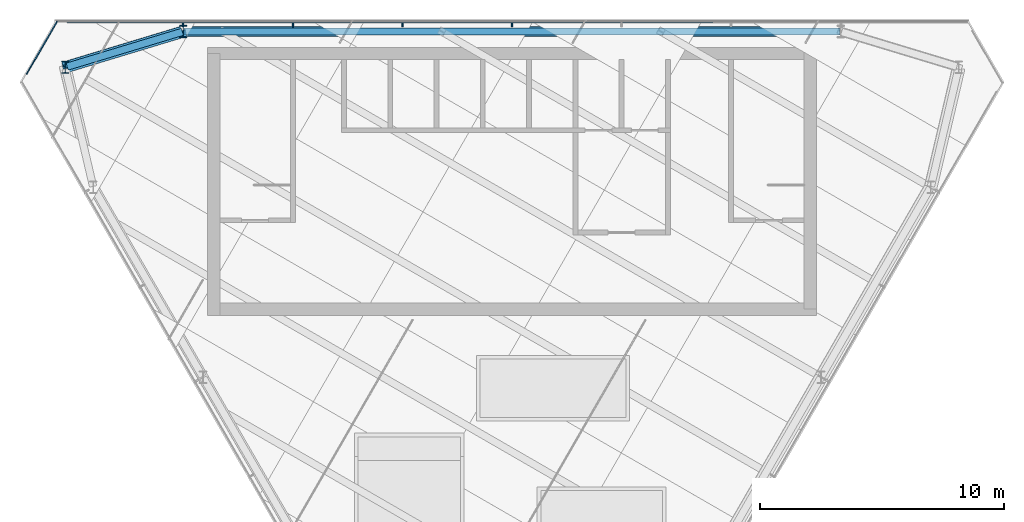
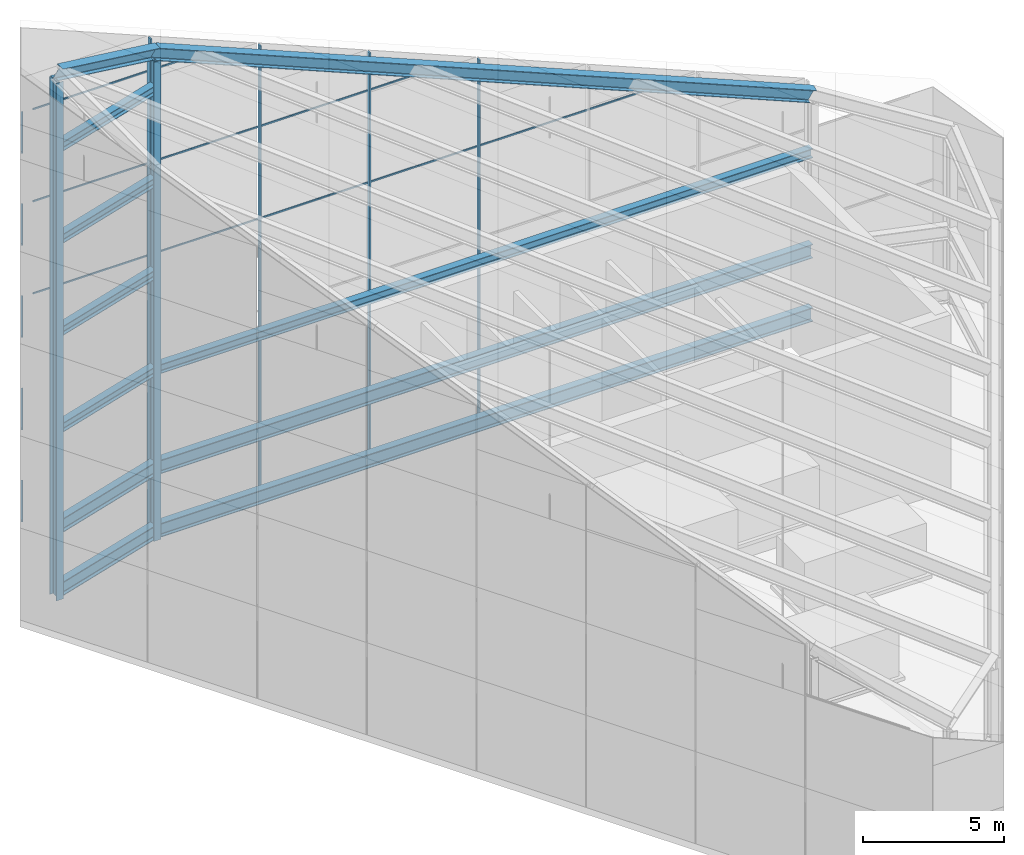
# One storey, part 8 of 16: 18 members, 7 beams, 2 elements without a shape of their own.
"""IFC4 building model written with IfcOpenShell, lengths in metres."""

from ifc_helpers import new_model, si_unit, direction, frame, origin, origin_2d, place, context, subcontext, project, spatial, rectangle, i_section, extrude, material, layer, layer_set, material_profile, profile_set, type_object, element, aggregate, save


model = new_model("IFC4")

# Units and contexts
model_context = context("Model", 3, precision=1e-05, world=origin(), true_north=direction((0.0, 1.0)))
body_context = subcontext(model_context, "Body", "Model", "MODEL_VIEW")
ifc_project = project(units=[si_unit("LENGTHUNIT", "METRE"), si_unit("AREAUNIT", "SQUARE_METRE"), si_unit("VOLUMEUNIT", "CUBIC_METRE"), si_unit("PLANEANGLEUNIT", "RADIAN"), si_unit("MASSUNIT", "GRAM", prefix="KILO")], contexts=[model_context])

# Site, building, storey
site_placement = place(None, origin())
site = spatial("IfcSite", under=ifc_project, at=site_placement, CompositionType="ELEMENT")
building_placement = place(site_placement, origin())
building = spatial("IfcBuilding", under=site, at=building_placement, Name="Altiplano Prism Tower", CompositionType="ELEMENT")
storey_placement = place(building_placement, frame((0.0, 0.0, 358.0)))
storey = spatial("IfcBuildingStorey", under=building, at=storey_placement, Name="Crown", CompositionType="ELEMENT", Elevation=358.0)

# Curtain wall, members
ifc_material_1 = material(Name="Aluminium and glass", Category="aluminium")
ifc_layer = layer(ifc_material_1, 0.25)
ifc_layer_set = layer_set([ifc_layer], Name="Aluminium and glass")
curtain_wall_type = type_object("IfcCurtainWallType", Name="CW5 crown glazing", PredefinedType="NOTDEFINED", material=ifc_layer_set)
curtain_wall_1_placement = place(storey_placement, origin())
curtain_wall_1 = element("IfcCurtainWall", 1, at=curtain_wall_1_placement, inside=storey, type_object=curtain_wall_type, Name="CW5 crown glazing face 1", PredefinedType="NOTDEFINED")
ifc_material_2 = material(Name="Aluminium", Category="aluminium")
ifc_material_profile_1 = material_profile(ifc_material_2, rectangle(XDim=0.159912109375, YDim=0.06005859375, at=origin_2d()), Name="CW5 mullion 60 x 160")
ifc_profile_set_1 = profile_set([ifc_material_profile_1], Name="Aluminium")
member_type_1 = type_object("IfcMemberType", Name="CW5 mullion 60 x 160", PredefinedType="MULLION", material=ifc_profile_set_1)
member_1_placement = place(storey_placement, frame((85.0, 104.830078125, 0.0), z_axis=(0.0, 0.0, 1.0), x_axis=(0.0, -1.0, 0.0)))
member_1 = element("IfcMember", 2, at=member_1_placement, type_object=member_type_1, Name="CW5 mullion", PredefinedType="MULLION", context=body_context, shape_type="SweptSolid", body=[
    extrude(rectangle(XDim=0.159912109375, YDim=0.06005859375, at=origin_2d()), origin(), (0.0, 0.0, 1.0), 15.851318359375),
])
member_2_placement = place(storey_placement, frame((80.5, 104.830078125, 0.0), z_axis=(0.0, 0.0, 1.0), x_axis=(0.0, -1.0, 0.0)))
member_2 = element("IfcMember", 3, at=member_2_placement, type_object=member_type_1, Name="CW5 mullion", PredefinedType="MULLION", context=body_context, shape_type="SweptSolid", body=[
    extrude(rectangle(XDim=0.159912109375, YDim=0.06005859375, at=origin_2d()), origin(), (0.0, 0.0, 1.0), 17.7333984375),
])
member_3_placement = place(storey_placement, frame((76.0, 104.830078125, 0.0), z_axis=(0.0, 0.0, 1.0), x_axis=(0.0, -1.0, 0.0)))
member_3 = element("IfcMember", 4, at=member_3_placement, type_object=member_type_1, Name="CW5 mullion", PredefinedType="MULLION", context=body_context, shape_type="SweptSolid", body=[
    extrude(rectangle(XDim=0.159912109375, YDim=0.06005859375, at=origin_2d()), origin(), (0.0, 0.0, 1.0), 19.61572265625),
])
member_4_placement = place(storey_placement, frame((71.5, 104.830078125, 0.0), z_axis=(0.0, 0.0, 1.0), x_axis=(0.0, -1.0, 0.0)))
member_4 = element("IfcMember", 5, at=member_4_placement, type_object=member_type_1, Name="CW5 mullion", PredefinedType="MULLION", context=body_context, shape_type="SweptSolid", body=[
    extrude(rectangle(XDim=0.159912109375, YDim=0.06005859375, at=origin_2d()), origin(), (0.0, 0.0, 1.0), 21.497802734375),
])
ifc_material_profile_2 = material_profile(ifc_material_2, rectangle(XDim=0.050048828125, YDim=0.06005859375, at=origin_2d()), Name="CW5 transom 60 x 50")
ifc_profile_set_2 = profile_set([ifc_material_profile_2], Name="Aluminium")
member_type_2 = type_object("IfcMemberType", Name="CW5 transom 60 x 50", PredefinedType="USERDEFINED", material=ifc_profile_set_2)
member_5_placement = place(storey_placement, frame((93.24072265625, 104.93505859375, 12.0), z_axis=(-1.0, 0.0, 0.0), x_axis=(0.0, -1.0, 0.0)))
member_5 = element("IfcMember", 6, at=member_5_placement, type_object=member_type_2, Name="CW5 transom", ObjectType="TRANSOM", PredefinedType="USERDEFINED", context=body_context, shape_type="SweptSolid", body=[
    extrude(rectangle(XDim=0.050048828125, YDim=0.06005859375, at=origin_2d()), origin(), (0.0, 0.0, 1.0), 26.5),
])
member_6_placement = place(storey_placement, frame((83.24072265625, 104.93505859375, 16.0), z_axis=(-1.0, 0.0, 0.0), x_axis=(0.0, -1.0, 0.0)))
member_6 = element("IfcMember", 7, at=member_6_placement, type_object=member_type_2, Name="CW5 transom", ObjectType="TRANSOM", PredefinedType="USERDEFINED", context=body_context, shape_type="SweptSolid", body=[
    extrude(rectangle(XDim=0.050048828125, YDim=0.06005859375, at=origin_2d()), origin(), (0.0, 0.0, 1.0), 16.5),
])
member_7_placement = place(storey_placement, frame((73.74072265625, 104.93505859375, 20.0), z_axis=(-1.0, 0.0, 0.0), x_axis=(0.0, -1.0, 0.0)))
member_7 = element("IfcMember", 8, at=member_7_placement, type_object=member_type_2, Name="CW5 transom", ObjectType="TRANSOM", PredefinedType="USERDEFINED", context=body_context, shape_type="SweptSolid", body=[
    extrude(rectangle(XDim=0.050048828125, YDim=0.06005859375, at=origin_2d()), origin(), (0.0, 0.0, 1.0), 7.0),
])
aggregate(curtain_wall_1, [member_1, member_2, member_3, member_4, member_5, member_6, member_7])

curtain_wall_2_placement = place(storey_placement, origin())
curtain_wall_2 = element("IfcCurtainWall", 9, at=curtain_wall_2_placement, inside=storey, type_object=curtain_wall_type, Name="CW5 crown glazing chamfer 1", PredefinedType="NOTDEFINED")
member_8_placement = place(storey_placement, frame((66.3154296875, 104.967529296875, 4.0), z_axis=(-0.500004234368, -0.866022959057, 0.0), x_axis=(0.866022959057, -0.500004234368, 0.0)))
member_8 = element("IfcMember", 10, at=member_8_placement, type_object=member_type_2, Name="CW5 transom", ObjectType="TRANSOM", PredefinedType="USERDEFINED", context=body_context, shape_type="SweptSolid", body=[
    extrude(rectangle(XDim=0.050048828125, YDim=0.06005859375, at=origin_2d()), origin(), (0.0, 0.0, 1.0), 2.5),
])
member_9_placement = place(storey_placement, frame((66.3154296875, 104.967529296875, 8.0), z_axis=(-0.500004234368, -0.866022959057, 0.0), x_axis=(0.866022959057, -0.500004234368, 0.0)))
member_9 = element("IfcMember", 11, at=member_9_placement, type_object=member_type_2, Name="CW5 transom", ObjectType="TRANSOM", PredefinedType="USERDEFINED", context=body_context, shape_type="SweptSolid", body=[
    extrude(rectangle(XDim=0.050048828125, YDim=0.06005859375, at=origin_2d()), origin(), (0.0, 0.0, 1.0), 2.5),
])
member_10_placement = place(storey_placement, frame((66.3154296875, 104.967529296875, 12.0), z_axis=(-0.500004234368, -0.866022959057, 0.0), x_axis=(0.866022959057, -0.500004234368, 0.0)))
member_10 = element("IfcMember", 12, at=member_10_placement, type_object=member_type_2, Name="CW5 transom", ObjectType="TRANSOM", PredefinedType="USERDEFINED", context=body_context, shape_type="SweptSolid", body=[
    extrude(rectangle(XDim=0.050048828125, YDim=0.06005859375, at=origin_2d()), origin(), (0.0, 0.0, 1.0), 2.5),
])
member_11_placement = place(storey_placement, frame((66.3154296875, 104.967529296875, 16.0), z_axis=(-0.500004234368, -0.866022959057, 0.0), x_axis=(0.866022959057, -0.500004234368, 0.0)))
member_11 = element("IfcMember", 13, at=member_11_placement, type_object=member_type_2, Name="CW5 transom", ObjectType="TRANSOM", PredefinedType="USERDEFINED", context=body_context, shape_type="SweptSolid", body=[
    extrude(rectangle(XDim=0.050048828125, YDim=0.06005859375, at=origin_2d()), origin(), (0.0, 0.0, 1.0), 2.5),
])
member_12_placement = place(storey_placement, frame((66.3154296875, 104.967529296875, 20.0), z_axis=(-0.500004234368, -0.866022959057, 0.0), x_axis=(0.866022959057, -0.500004234368, 0.0)))
member_12 = element("IfcMember", 14, at=member_12_placement, type_object=member_type_2, Name="CW5 transom", ObjectType="TRANSOM", PredefinedType="USERDEFINED", context=body_context, shape_type="SweptSolid", body=[
    extrude(rectangle(XDim=0.050048828125, YDim=0.06005859375, at=origin_2d()), origin(), (0.0, 0.0, 1.0), 2.5),
])
aggregate(curtain_wall_2, [member_8, member_9, member_10, member_11, member_12])

# Members
ifc_material_3 = material(Name="Steel S355", Category="steel")
ifc_material_profile_3 = material_profile(ifc_material_3, i_section(OverallWidth=0.300048828125, OverallDepth=0.60009765625, WebThickness=0.015380859375, FlangeThickness=0.030029296875, FilletRadius=0.027099609375, at=origin_2d()), Name="Crown base chord HEB 600")
ifc_profile_set_3 = profile_set([ifc_material_profile_3], Name="Steel S355")
member_type_3 = type_object("IfcMemberType", Name="Crown base chord HEB 600", PredefinedType="CHORD", material=ifc_profile_set_3)
for number, where, z_axis, x_axis, name in (
    (15, (98.469970703125, 104.550048828125, 0.300048828125), (-1.0, 0.0, 0.0), (0.0, -1.0, 0.0), "Crown base ring chord b3"),
    (16, (98.469970703125, 104.550048828125, 3.050048828125), (-1.0, 0.0, 0.0), (0.0, -1.0, 0.0), "Crown base ring chord t3"),
):
    element("IfcMember", number, at=place(storey_placement, frame(where, z_axis=z_axis, x_axis=x_axis)), inside=storey, type_object=member_type_3, Name=name, PredefinedType="CHORD", context=body_context, shape_type="SweptSolid", body=[
        extrude(i_section(OverallWidth=0.300048828125, OverallDepth=0.60009765625, WebThickness=0.015380859375, FlangeThickness=0.030029296875, FilletRadius=0.027099609375, at=origin_2d()), origin(), (0.0, 0.0, 1.0), 26.93994140625),
    ])
for number, where, z_axis, x_axis, name in (
    (17, (71.46484375, 104.539306640625, 0.300048828125), (-0.957176399811, -0.289505336126, 0.0), (0.289505336126, -0.957176399811, 0.0), "Crown base ring chord b4"),
    (18, (71.46484375, 104.539306640625, 3.050048828125), (-0.957176399811, -0.289505336126, 0.0), (0.289505336126, -0.957176399811, 0.0), "Crown base ring chord t4"),
):
    element("IfcMember", number, at=place(storey_placement, frame(where, z_axis=z_axis, x_axis=x_axis)), inside=storey, type_object=member_type_3, Name=name, PredefinedType="CHORD", context=body_context, shape_type="SweptSolid", body=[
        extrude(i_section(OverallWidth=0.300048828125, OverallDepth=0.60009765625, WebThickness=0.015380859375, FlangeThickness=0.030029296875, FilletRadius=0.027099609375, at=origin_2d()), origin(), (0.0, 0.0, 1.0), 4.940185546875),
    ])
ifc_material_profile_4 = material_profile(ifc_material_3, i_section(OverallWidth=0.300048828125, OverallDepth=0.5, WebThickness=0.014404296875, FlangeThickness=0.028076171875, FilletRadius=0.027099609375, at=origin_2d()), Name="Crown post HEB 500")
ifc_profile_set_4 = profile_set([ifc_material_profile_4], Name="Steel S355")
member_type_4 = type_object("IfcMemberType", Name="Crown post HEB 500", PredefinedType="POST", material=ifc_profile_set_4)
member_13_placement = place(storey_placement, frame((71.5, 104.550048828125, 0.0), z_axis=(0.0, 0.0, 1.0), x_axis=(1.0, 0.0, 0.0)))
element("IfcMember", 19, at=member_13_placement, inside=storey, type_object=member_type_4, Name="Crown post P04", PredefinedType="POST", context=body_context, shape_type="SweptSolid", body=[
    extrude(i_section(OverallWidth=0.300048828125, OverallDepth=0.5, WebThickness=0.014404296875, FlangeThickness=0.028076171875, FilletRadius=0.027099609375, at=origin_2d()), origin(), (0.0, 0.0, 1.0), 20.79296875),
])
member_14_placement = place(storey_placement, frame((66.654296875, 103.084228515625, 0.0), z_axis=(0.0, 0.0, 1.0), x_axis=(1.0, 0.0, 0.0)))
element("IfcMember", 20, at=member_14_placement, inside=storey, type_object=member_type_4, Name="Crown post M0", PredefinedType="POST", context=body_context, shape_type="SweptSolid", body=[
    extrude(i_section(OverallWidth=0.300048828125, OverallDepth=0.5, WebThickness=0.014404296875, FlangeThickness=0.028076171875, FilletRadius=0.027099609375, at=origin_2d()), origin(), (0.0, 0.0, 1.0), 22.4658203125),
])

# Beams
ifc_material_profile_5 = material_profile(ifc_material_3, i_section(OverallWidth=0.300048828125, OverallDepth=0.60009765625, WebThickness=0.015380859375, FlangeThickness=0.030029296875, FilletRadius=0.027099609375, at=origin_2d()), Name="Crown rafter HEB 600")
ifc_profile_set_5 = profile_set([ifc_material_profile_5], Name="Steel S355")
beam_type_1 = type_object("IfcBeamType", Name="Crown rafter HEB 600", PredefinedType="BEAM", material=ifc_profile_set_5)
beam_1_placement = place(storey_placement, frame((98.5, 104.550048828125, 9.7724609375), z_axis=(-0.922551856214, 0.0, 0.38587313018), x_axis=(-0.08390941877, -0.976070706899, -0.200612025004)))
element("IfcBeam", 21, at=beam_1_placement, inside=storey, type_object=beam_type_1, Name="Crown rafter ring 3", PredefinedType="BEAM", context=body_context, shape_type="SweptSolid", body=[
    extrude(i_section(OverallWidth=0.300048828125, OverallDepth=0.60009765625, WebThickness=0.015380859375, FlangeThickness=0.030029296875, FilletRadius=0.027099609375, at=origin_2d()), origin(), (0.0, 0.0, 1.0), 29.2666015625),
])
beam_2_placement = place(storey_placement, frame((71.5, 104.550048828125, 21.065673828125), z_axis=(-0.908833676652, -0.274921271394, 0.313750924648), x_axis=(0.179336520046, -0.936555341162, -0.301168566617)))
element("IfcBeam", 22, at=beam_2_placement, inside=storey, type_object=beam_type_1, Name="Crown rafter ring 4", PredefinedType="BEAM", context=body_context, shape_type="SweptSolid", body=[
    extrude(i_section(OverallWidth=0.300048828125, OverallDepth=0.60009765625, WebThickness=0.015380859375, FlangeThickness=0.030029296875, FilletRadius=0.027099609375, at=origin_2d()), origin(), (0.0, 0.0, 1.0), 5.331787109375),
])
ifc_material_profile_6 = material_profile(ifc_material_3, i_section(OverallWidth=0.300048828125, OverallDepth=0.39990234375, WebThickness=0.013427734375, FlangeThickness=0.02392578125, FilletRadius=0.027099609375, at=origin_2d()), Name="Crown ring beam HEB 400")
ifc_profile_set_6 = profile_set([ifc_material_profile_6], Name="Steel S355")
beam_type_2 = type_object("IfcBeamType", Name="Crown ring beam HEB 400", PredefinedType="BEAM", material=ifc_profile_set_6)
beam_3_placement = place(storey_placement, frame((98.469970703125, 104.550048828125, 7.300048828125), z_axis=(-1.0, 0.0, 0.0), x_axis=(0.0, -1.0, 0.0)))
element("IfcBeam", 23, at=beam_3_placement, inside=storey, type_object=beam_type_2, Name="Crown ring beam 2.3", PredefinedType="BEAM", context=body_context, shape_type="SweptSolid", body=[
    extrude(i_section(OverallWidth=0.300048828125, OverallDepth=0.39990234375, WebThickness=0.013427734375, FlangeThickness=0.02392578125, FilletRadius=0.027099609375, at=origin_2d()), origin(), (0.0, 0.0, 1.0), 26.93994140625),
])
for number, where, z_axis, x_axis, name in (
    (24, (71.46484375, 104.539306640625, 7.300048828125), (-0.957176399811, -0.289505336126, 0.0), (0.289505336126, -0.957176399811, 0.0), "Crown ring beam 2.4"),
    (25, (71.46484375, 104.539306640625, 11.5), (-0.957176399811, -0.289505336126, 0.0), (0.289505336126, -0.957176399811, 0.0), "Crown ring beam 3.4"),
    (26, (71.46484375, 104.539306640625, 15.5), (-0.957176399811, -0.289505336126, 0.0), (0.289505336126, -0.957176399811, 0.0), "Crown ring beam 4.4"),
    (27, (71.46484375, 104.539306640625, 19.5), (-0.957176399811, -0.289505336126, 0.0), (0.289505336126, -0.957176399811, 0.0), "Crown ring beam 5.4"),
):
    element("IfcBeam", number, at=place(storey_placement, frame(where, z_axis=z_axis, x_axis=x_axis)), inside=storey, type_object=beam_type_2, Name=name, PredefinedType="BEAM", context=body_context, shape_type="SweptSolid", body=[
        extrude(i_section(OverallWidth=0.300048828125, OverallDepth=0.39990234375, WebThickness=0.013427734375, FlangeThickness=0.02392578125, FilletRadius=0.027099609375, at=origin_2d()), origin(), (0.0, 0.0, 1.0), 4.940185546875),
    ])

save(model, "model.ifc")
